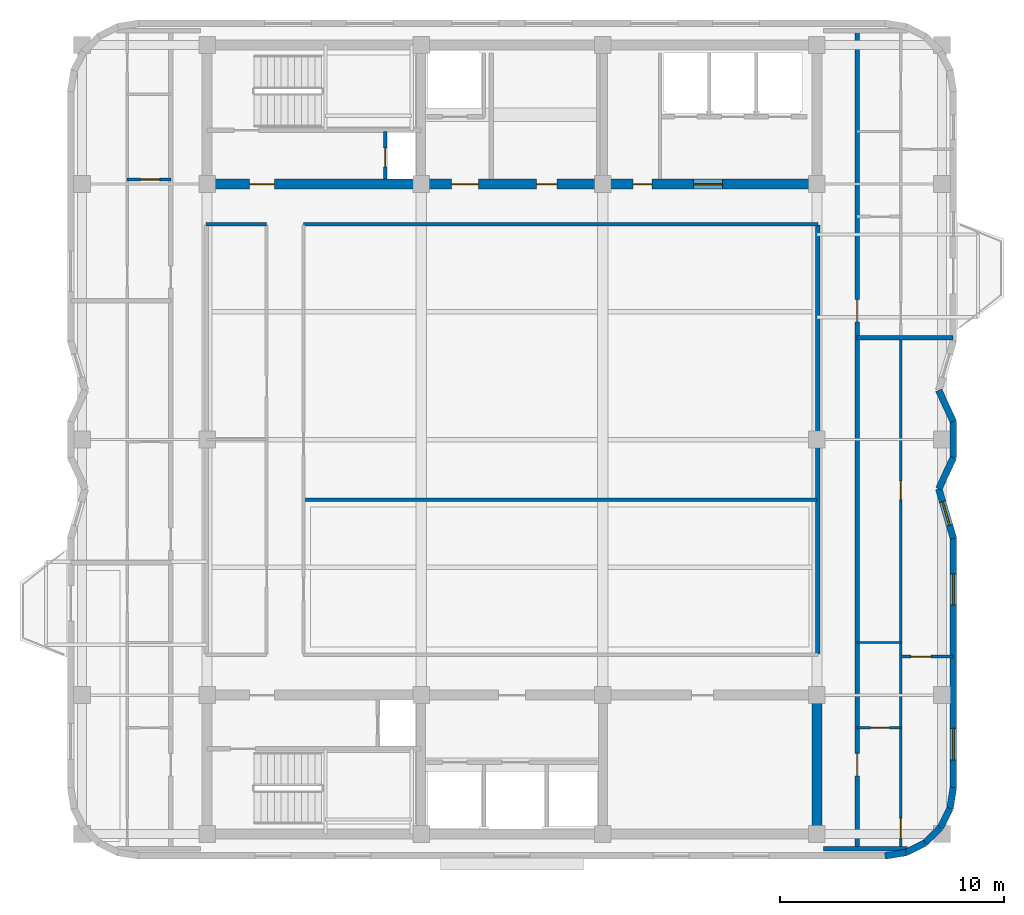
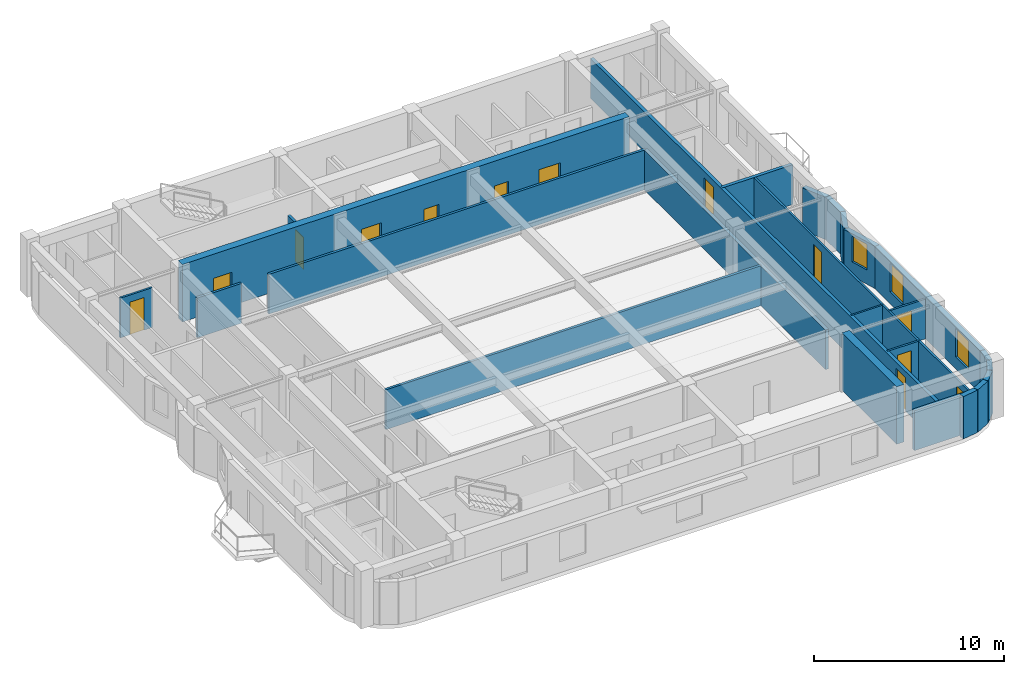
# One storey, part 4 of 8: 25 walls, 13 doors, 3 windows, 16 openings.
"""IFC4 building model written with IfcOpenShell, lengths in metres."""

from ifc_helpers import new_model, si_unit, direction, frame, frame_2d, origin, place, context, subcontext, project, spatial, rectangle, extrude, material, layer, layer_set, type_object, element, fill, save


model = new_model("IFC4")

# Units and contexts
model_context = context("Model", 3, precision=1e-05, world=origin(), true_north=direction((0.0, 1.0)))
body_context = subcontext(model_context, "Body", "Model", "MODEL_VIEW")
ifc_project = project(units=[si_unit("LENGTHUNIT", "METRE"), si_unit("AREAUNIT", "SQUARE_METRE"), si_unit("VOLUMEUNIT", "CUBIC_METRE"), si_unit("PLANEANGLEUNIT", "RADIAN"), si_unit("MASSUNIT", "GRAM", prefix="KILO")], contexts=[model_context])

# Site, building, storey
site_placement = place(None, origin())
site = spatial("IfcSite", under=ifc_project, at=site_placement, CompositionType="ELEMENT")
building_placement = place(site_placement, origin())
building = spatial("IfcBuilding", under=site, at=building_placement, Name="Svetorya Sky Lyceum", CompositionType="ELEMENT")
storey_placement = place(building_placement, frame((0.0, 0.0, 282.39990234375)))
storey = spatial("IfcBuildingStorey", under=building, at=storey_placement, Name="L71", CompositionType="ELEMENT", Elevation=282.39990234375)

# Wall
ifc_material_1 = material(Name="Concrete C50/60", Category="concrete")
ifc_layer_1 = layer(ifc_material_1, 0.449951171875)
ifc_layer_set_1 = layer_set([ifc_layer_1], Name="Concrete C50/60")
wall_type_1 = type_object("IfcWallType", Name="WL-CORE-450", PredefinedType="SHEAR", material=ifc_layer_set_1)
wall_1_placement = place(storey_placement, frame((52.800048828125, 10.824951171875, 0.0), z_axis=(0.0, 0.0, 1.0), x_axis=(0.0, 1.0, 0.0)))
element("IfcWall", 1, at=wall_1_placement, inside=storey, type_object=wall_type_1, Name="L71 SC East Core Shear Wall", PredefinedType="SHEAR", context=body_context, shape_type="SweptSolid", body=[
    extrude(rectangle(XDim=5.75, YDim=0.449951171875, at=frame_2d((2.875, 0.0))), origin(), (0.0, 0.0, 1.0), 3.7001953125),
])

# Wall, openings, doors
wall_2_placement = place(storey_placement, frame((52.800048828125, 39.60009765625, 0.0), z_axis=(0.0, 0.0, 1.0), x_axis=(-1.0, 0.0, 0.0)))
wall_2 = element("IfcWall", 2, at=wall_2_placement, inside=storey, type_object=wall_type_1, Name="L71 NC Inner Core Shear Wall", PredefinedType="SHEAR", context=body_context, shape_type="SweptSolid", body=[
    extrude(rectangle(XDim=27.199951171875, YDim=0.449951171875, at=frame_2d((13.60009765625, 0.0))), origin(), (0.0, 0.0, 1.0), 3.7001953125),
])
opening_1_placement = place(wall_2_placement, frame((24.199951171875, 0.0, 0.0)))
opening_1 = element("IfcOpeningElement", 3, at=opening_1_placement, cuts=wall_2, Name="Opening D-ST1", PredefinedType="OPENING", context=body_context, shape_type="SweptSolid", body=[
    extrude(rectangle(XDim=1.10009765625, YDim=2.14990234375, at=frame_2d((0.550048828125, 1.074951171875))), frame((0.0, 0.23486328125, 0.0), z_axis=(0.0, -1.0, 0.0), x_axis=(1.0, 0.0, 0.0)), (0.0, 0.0, 1.0), 0.469970703125),
])
opening_2_placement = place(wall_2_placement, frame((15.10009765625, 0.0, 0.0)))
opening_2 = element("IfcOpeningElement", 4, at=opening_2_placement, cuts=wall_2, Name="Opening D-FL1", PredefinedType="OPENING", context=body_context, shape_type="SweptSolid", body=[
    extrude(rectangle(XDim=1.199951171875, YDim=2.14990234375, at=frame_2d((0.60009765625, 1.074951171875))), frame((0.0, 0.23486328125, 0.0), z_axis=(0.0, -1.0, 0.0), x_axis=(1.0, 0.0, 0.0)), (0.0, 0.0, 1.0), 0.469970703125),
])
opening_3_placement = place(wall_2_placement, frame((11.60009765625, 0.0, 0.0)))
opening_3 = element("IfcOpeningElement", 5, at=opening_3_placement, cuts=wall_2, Name="Opening D-RM1", PredefinedType="OPENING", context=body_context, shape_type="SweptSolid", body=[
    extrude(rectangle(XDim=0.89990234375, YDim=2.10009765625, at=frame_2d((0.449951171875, 1.050048828125))), frame((0.0, 0.23486328125, 0.0), z_axis=(0.0, -1.0, 0.0), x_axis=(1.0, 0.0, 0.0)), (0.0, 0.0, 1.0), 0.469970703125),
])
opening_4_placement = place(wall_2_placement, frame((7.35009765625, 0.0, 0.0)))
opening_4 = element("IfcOpeningElement", 6, at=opening_4_placement, cuts=wall_2, Name="Opening D-CWC1", PredefinedType="OPENING", context=body_context, shape_type="SweptSolid", body=[
    extrude(rectangle(XDim=0.85009765625, YDim=2.10009765625, at=frame_2d((0.425048828125, 1.050048828125))), frame((0.0, 0.23486328125, 0.0), z_axis=(0.0, -1.0, 0.0), x_axis=(1.0, 0.0, 0.0)), (0.0, 0.0, 1.0), 0.469970703125),
])
opening_5_placement = place(wall_2_placement, frame((4.199951171875, 0.0, 0.0)))
opening_5 = element("IfcOpeningElement", 7, at=opening_5_placement, cuts=wall_2, Name="Opening D-LB1", PredefinedType="OPENING", context=body_context, shape_type="SweptSolid", body=[
    extrude(rectangle(XDim=1.300048828125, YDim=2.199951171875, at=frame_2d((0.64990234375, 1.10009765625))), frame((0.0, 0.23486328125, 0.0), z_axis=(0.0, -1.0, 0.0), x_axis=(1.0, 0.0, 0.0)), (0.0, 0.0, 1.0), 0.469970703125),
])
ifc_material_2 = material(Name="Fire-rated galvanized steel core service closet door", Category="steel")
door_type_1 = type_object("IfcDoorType", Name="DR-CWET-850", OperationType="SINGLE_SWING_LEFT", PredefinedType="DOOR", material=ifc_material_2)
door_1_placement = place(opening_4_placement, origin())
door_1 = element("IfcDoor", 8, at=door_1_placement, inside=storey, type_object=door_type_1, Name="L71 High-Zone Utility Room Door", OperationType="SINGLE_SWING_LEFT", OverallHeight=2.10009765625, OverallWidth=0.85009765625, PredefinedType="DOOR", context=body_context, shape_type="SweptSolid", body=[
    extrude(rectangle(XDim=0.85009765625, YDim=2.10009765625, at=frame_2d((0.425048828125, 1.050048828125))), frame((0.0, 0.02490234375, 0.0), z_axis=(0.0, -1.0, 0.0), x_axis=(1.0, 0.0, 0.0)), (0.0, 0.0, 1.0), 0.050048828125),
])
fill(opening_4, door_1)
ifc_material_3 = material(Name="Powder-coated insulated galvanized stair fire door")
door_type_2 = type_object("IfcDoorType", Name="DR-FIRE-1100", OperationType="SINGLE_SWING_LEFT", PredefinedType="DOOR", material=ifc_material_3)
door_2_placement = place(opening_1_placement, origin())
door_2 = element("IfcDoor", 9, at=door_2_placement, inside=storey, type_object=door_type_2, Name="L71 North Stair Airlock Door", OperationType="SINGLE_SWING_LEFT", OverallHeight=2.14990234375, OverallWidth=1.10009765625, PredefinedType="DOOR", context=body_context, shape_type="SweptSolid", body=[
    extrude(rectangle(XDim=1.10009765625, YDim=2.14990234375, at=frame_2d((0.550048828125, 1.074951171875))), frame((0.0, 0.02490234375, 0.0), z_axis=(0.0, -1.0, 0.0), x_axis=(1.0, 0.0, 0.0)), (0.0, 0.0, 1.0), 0.050048828125),
])
fill(opening_1, door_2)
ifc_material_4 = material(Name="Powder-coated insulated galvanized fire door")
door_type_3 = type_object("IfcDoorType", Name="DR-FIRE-1200", OperationType="SINGLE_SWING_LEFT", PredefinedType="DOOR", material=ifc_material_4)
door_3_placement = place(opening_2_placement, origin())
door_3 = element("IfcDoor", 10, at=door_3_placement, inside=storey, type_object=door_type_3, Name="L71 North Firefighting Lift Lobby Door", OperationType="SINGLE_SWING_RIGHT", OverallHeight=2.14990234375, OverallWidth=1.199951171875, PredefinedType="DOOR", context=body_context, shape_type="SweptSolid", body=[
    extrude(rectangle(XDim=1.199951171875, YDim=2.14990234375, at=frame_2d((0.60009765625, 1.074951171875))), frame((0.0, 0.02490234375, 0.0), z_axis=(0.0, -1.0, 0.0), x_axis=(1.0, 0.0, 0.0)), (0.0, 0.0, 1.0), 0.050048828125),
])
fill(opening_2, door_3)
ifc_material_5 = material(Name="Lacquered birch veneer internal door")
door_type_4 = type_object("IfcDoorType", Name="DR-INT-900", OperationType="SINGLE_SWING_LEFT", PredefinedType="DOOR", material=ifc_material_5)
door_4_placement = place(opening_3_placement, origin())
door_4 = element("IfcDoor", 11, at=door_4_placement, inside=storey, type_object=door_type_4, Name="L71 Upper Archive Door", OperationType="SINGLE_SWING_LEFT", OverallHeight=2.10009765625, OverallWidth=0.89990234375, PredefinedType="DOOR", context=body_context, shape_type="SweptSolid", body=[
    extrude(rectangle(XDim=0.89990234375, YDim=2.10009765625, at=frame_2d((0.449951171875, 1.050048828125))), frame((0.0, 0.02490234375, 0.0), z_axis=(0.0, -1.0, 0.0), x_axis=(1.0, 0.0, 0.0)), (0.0, 0.0, 1.0), 0.050048828125),
])
fill(opening_3, door_4)
ifc_material_6 = material(Name="Glazed fire-rated aluminium lobby door", Category="aluminium")
door_type_5 = type_object("IfcDoorType", Name="DR-LOB-1300", OperationType="SINGLE_SWING_LEFT", PredefinedType="DOOR", material=ifc_material_6)
door_5_placement = place(opening_5_placement, origin())
door_5 = element("IfcDoor", 12, at=door_5_placement, inside=storey, type_object=door_type_5, Name="L71 North Passenger Lift Lobby Door", OperationType="SINGLE_SWING_LEFT", OverallHeight=2.199951171875, OverallWidth=1.300048828125, PredefinedType="DOOR", context=body_context, shape_type="SweptSolid", body=[
    extrude(rectangle(XDim=1.300048828125, YDim=2.199951171875, at=frame_2d((0.64990234375, 1.10009765625))), frame((0.0, 0.02490234375, 0.0), z_axis=(0.0, -1.0, 0.0), x_axis=(1.0, 0.0, 0.0)), (0.0, 0.0, 1.0), 0.050048828125),
])
fill(opening_5, door_5)

# Walls
ifc_material_7 = material(Name="Putilovo limestone rainscreen on autoclaved cellular masonry", Category="masonry")
ifc_layer_2 = layer(ifc_material_7, 0.300048828125)
ifc_layer_set_2 = layer_set([ifc_layer_2], Name="Putilovo limestone rainscreen on autoclaved cellular masonry")
wall_type_2 = type_object("IfcWallType", Name="WL-EXT-300", PredefinedType="SOLIDWALL", material=ifc_layer_set_2)
wall_3_placement = place(storey_placement, frame((55.840087890625, 9.6298828125, 0.0), z_axis=(0.0, 0.0, 1.0), x_axis=(0.987663181641, 0.156593229835, 0.0)))
element("IfcWall", 13, at=wall_3_placement, inside=storey, type_object=wall_type_2, Name="L71 Limestone Exterior Wall 7M", PredefinedType="SOLIDWALL", context=body_context, shape_type="SweptSolid", body=[
    extrude(rectangle(XDim=0.9541015625, YDim=0.300048828125, at=frame_2d((0.47705078125, 0.0))), origin(), (0.0, 0.0, 1.0), 2.72998046875),
])
for number, where, z_axis, x_axis, name in (
    (14, (56.782470703125, 9.779296875, 0.0), (0.0, 0.0, 1.0), (0.891076589373, 0.453852962833, 0.0), "L71 Limestone Exterior Wall 8M"),
    (15, (57.6328125, 10.21240234375, 0.0), (0.0, 0.0, 1.0), (0.707106781187, 0.707106781187, 0.0), "L71 Limestone Exterior Wall 9M"),
    (16, (58.3076171875, 10.88720703125, 0.0), (0.0, 0.0, 1.0), (0.453852962833, 0.891076589373, 0.0), "L71 Limestone Exterior Wall 10M"),
):
    element("IfcWall", number, at=place(storey_placement, frame(where, z_axis=z_axis, x_axis=x_axis)), inside=storey, type_object=wall_type_2, Name=name, PredefinedType="SOLIDWALL", context=body_context, shape_type="SweptSolid", body=[
        extrude(rectangle(XDim=0.954345703125, YDim=0.300048828125, at=frame_2d((0.47705078125, 0.0))), origin(), (0.0, 0.0, 1.0), 2.72998046875),
    ])
wall_4_placement = place(storey_placement, frame((58.74072265625, 11.737548828125, 0.0), z_axis=(0.0, 0.0, 1.0), x_axis=(0.156343617883, 0.987702725088, 0.0)))
element("IfcWall", 17, at=wall_4_placement, inside=storey, type_object=wall_type_2, Name="L71 Limestone Exterior Wall 11M", PredefinedType="SOLIDWALL", context=body_context, shape_type="SweptSolid", body=[
    extrude(rectangle(XDim=0.9541015625, YDim=0.300048828125, at=frame_2d((0.47705078125, 0.0))), origin(), (0.0, 0.0, 1.0), 2.72998046875),
])

# Wall, openings, windows
wall_5_placement = place(storey_placement, frame((58.889892578125, 12.679931640625, 0.0), z_axis=(0.0, 0.0, 1.0), x_axis=(0.0, 1.0, 0.0)))
wall_5 = element("IfcWall", 18, at=wall_5_placement, inside=storey, type_object=wall_type_2, Name="L71 Limestone Exterior Wall 12M", PredefinedType="SOLIDWALL", context=body_context, shape_type="SweptSolid", body=[
    extrude(rectangle(XDim=11.1201171875, YDim=0.300048828125, at=frame_2d((5.56005859375, 0.0))), origin(), (0.0, 0.0, 1.0), 2.72998046875),
])
opening_6_placement = place(wall_5_placement, frame((1.23681640625, 0.0, 0.760009765625)))
opening_6 = element("IfcOpeningElement", 19, at=opening_6_placement, cuts=wall_5, Name="Opening W-R2", PredefinedType="OPENING", context=body_context, shape_type="SweptSolid", body=[
    extrude(rectangle(XDim=1.39990234375, YDim=1.85009765625, at=frame_2d((0.699951171875, 0.925048828125))), frame((0.0, 0.159912109375, 0.0), z_axis=(0.0, -1.0, 0.0), x_axis=(1.0, 0.0, 0.0)), (0.0, 0.0, 1.0), 0.320068359375),
])
opening_7_placement = place(wall_5_placement, frame((8.13330078125, 0.0, 0.760009765625)))
opening_7 = element("IfcOpeningElement", 20, at=opening_7_placement, cuts=wall_5, Name="Opening W-R2", PredefinedType="OPENING", context=body_context, shape_type="SweptSolid", body=[
    extrude(rectangle(XDim=1.39990234375, YDim=1.85009765625, at=frame_2d((0.699951171875, 0.925048828125))), frame((0.0, 0.159912109375, 0.0), z_axis=(0.0, -1.0, 0.0), x_axis=(1.0, 0.0, 0.0)), (0.0, 0.0, 1.0), 0.320068359375),
])
ifc_material_8 = material(Name="Thermally broken aluminium frame with triple low-E glazing", Category="aluminium")
window_type_1 = type_object("IfcWindowType", Name="WN-RES-140", PartitioningType="SINGLE_PANEL", PredefinedType="WINDOW", material=ifc_material_8)
window_1_placement = place(opening_6_placement, origin())
window_1 = element("IfcWindow", 21, at=window_1_placement, inside=storey, type_object=window_type_1, Name="L71 Facade Window W-R2.12M.1", OverallHeight=1.85009765625, OverallWidth=1.39990234375, PartitioningType="SINGLE_PANEL", PredefinedType="WINDOW", context=body_context, shape_type="SweptSolid", body=[
    extrude(rectangle(XDim=1.39990234375, YDim=1.85009765625, at=frame_2d((0.699951171875, 0.925048828125))), frame((0.0, 0.030029296875, 0.0), z_axis=(0.0, -1.0, 0.0), x_axis=(1.0, 0.0, 0.0)), (0.0, 0.0, 1.0), 0.06005859375),
])
fill(opening_6, window_1)
window_2_placement = place(opening_7_placement, origin())
window_2 = element("IfcWindow", 22, at=window_2_placement, inside=storey, type_object=window_type_1, Name="L71 Facade Window W-R2.12M.2", OverallHeight=1.85009765625, OverallWidth=1.39990234375, PartitioningType="SINGLE_PANEL", PredefinedType="WINDOW", context=body_context, shape_type="SweptSolid", body=[
    extrude(rectangle(XDim=1.39990234375, YDim=1.85009765625, at=frame_2d((0.699951171875, 0.925048828125))), frame((0.0, 0.030029296875, 0.0), z_axis=(0.0, -1.0, 0.0), x_axis=(1.0, 0.0, 0.0)), (0.0, 0.0, 1.0), 0.06005859375),
])
fill(opening_7, window_2)

# Wall, opening, window
wall_6_placement = place(storey_placement, frame((58.889892578125, 23.800048828125, 0.0), z_axis=(0.0, 0.0, 1.0), x_axis=(-0.283312771328, 0.959027566654, 0.0)))
wall_6 = element("IfcWall", 23, at=wall_6_placement, inside=storey, type_object=wall_type_2, Name="L71 Limestone Exterior Wall 13M", PredefinedType="SOLIDWALL", context=body_context, shape_type="SweptSolid", body=[
    extrude(rectangle(XDim=2.2939453125, YDim=0.300048828125, at=frame_2d((1.14697265625, 0.0))), origin(), (0.0, 0.0, 1.0), 2.72998046875),
])
opening_8_placement = place(wall_6_placement, frame((0.596923828125, 0.0, 0.919921875)))
opening_8 = element("IfcOpeningElement", 24, at=opening_8_placement, cuts=wall_6, Name="Opening W-R3", PredefinedType="OPENING", context=body_context, shape_type="SweptSolid", body=[
    extrude(rectangle(XDim=1.10009765625, YDim=1.64990234375, at=frame_2d((0.550048828125, 0.824951171875))), frame((0.0, 0.159912109375, 0.0), z_axis=(0.0, -1.0, 0.0), x_axis=(1.0, 0.0, 0.0)), (0.0, 0.0, 1.0), 0.320068359375),
])
window_type_2 = type_object("IfcWindowType", Name="WN-RES-110", PartitioningType="SINGLE_PANEL", PredefinedType="WINDOW", material=ifc_material_8)
window_3_placement = place(opening_8_placement, origin())
window_3 = element("IfcWindow", 25, at=window_3_placement, inside=storey, type_object=window_type_2, Name="L71 Facade Window W-R3.13M.1", OverallHeight=1.64990234375, OverallWidth=1.10009765625, PartitioningType="SINGLE_PANEL", PredefinedType="WINDOW", context=body_context, shape_type="SweptSolid", body=[
    extrude(rectangle(XDim=1.10009765625, YDim=1.64990234375, at=frame_2d((0.550048828125, 0.824951171875))), frame((0.0, 0.030029296875, 0.0), z_axis=(0.0, -1.0, 0.0), x_axis=(1.0, 0.0, 0.0)), (0.0, 0.0, 1.0), 0.06005859375),
])
fill(opening_8, window_3)

# Walls
wall_7_placement = place(storey_placement, frame((58.239990234375, 26.0, 0.0), z_axis=(0.0, 0.0, 1.0), x_axis=(0.421083420882, 0.907021914101, 0.0)))
element("IfcWall", 26, at=wall_7_placement, inside=storey, type_object=wall_type_2, Name="L71 Limestone Exterior Wall 14M", PredefinedType="SOLIDWALL", context=body_context, shape_type="SweptSolid", body=[
    extrude(rectangle(XDim=1.54345703125, YDim=0.300048828125, at=frame_2d((0.771728515625, 0.0))), origin(), (0.0, 0.0, 1.0), 2.72998046875),
])
wall_8_placement = place(storey_placement, frame((58.889892578125, 27.39990234375, 0.0), z_axis=(0.0, 0.0, 1.0), x_axis=(0.0, 1.0, 0.0)))
element("IfcWall", 27, at=wall_8_placement, inside=storey, type_object=wall_type_2, Name="L71 Limestone Exterior Wall 15M", PredefinedType="SOLIDWALL", context=body_context, shape_type="SweptSolid", body=[
    extrude(rectangle(XDim=1.60009765625, YDim=0.300048828125, at=frame_2d((0.800048828125, 0.0))), origin(), (0.0, 0.0, 1.0), 2.72998046875),
])
wall_9_placement = place(storey_placement, frame((58.889892578125, 29.0, 0.0), z_axis=(0.0, 0.0, 1.0), x_axis=(-0.421083420882, 0.907021914101, 0.0)))
element("IfcWall", 28, at=wall_9_placement, inside=storey, type_object=wall_type_2, Name="L71 Limestone Exterior Wall 16M", PredefinedType="SOLIDWALL", context=body_context, shape_type="SweptSolid", body=[
    extrude(rectangle(XDim=1.54345703125, YDim=0.300048828125, at=frame_2d((0.771728515625, 0.0))), origin(), (0.0, 0.0, 1.0), 2.72998046875),
])
ifc_material_9 = material(Name="Galvanized stud partition with moisture-resistant board", Category="gypsum")
ifc_layer_3 = layer(ifc_material_9, 0.10009765625)
ifc_layer_set_3 = layer_set([ifc_layer_3], Name="Galvanized stud partition with moisture-resistant board")
wall_type_3 = type_object("IfcWallType", Name="WL-PART-100", PredefinedType="PARTITIONING", material=ifc_layer_set_3)
wall_10_placement = place(storey_placement, frame((54.60009765625, 19.14990234375, 0.0), z_axis=(0.0, 0.0, 1.0), x_axis=(1.0, 0.0, 0.0)))
element("IfcWall", 29, at=wall_10_placement, inside=storey, type_object=wall_type_3, Name="L71 Interior Partition E1-WH2", PredefinedType="PARTITIONING", context=body_context, shape_type="SweptSolid", body=[
    extrude(rectangle(XDim=1.949951171875, YDim=0.10009765625, at=frame_2d((0.97509765625, 0.0))), origin(), (0.0, 0.0, 1.0), 2.56005859375),
])

# Wall, opening, door
ifc_material_10 = material(Name="Twin-stud galvanized framing with double fireboard", Category="gypsum")
ifc_layer_4 = layer(ifc_material_10, 0.1201171875)
ifc_layer_set_4 = layer_set([ifc_layer_4], Name="Twin-stud galvanized framing with double fireboard")
wall_type_4 = type_object("IfcWallType", Name="WL-PART-120", PredefinedType="PARTITIONING", material=ifc_layer_set_4)
wall_11_placement = place(storey_placement, frame((22.030029296875, 39.804931640625, 0.0), z_axis=(0.0, 0.0, 1.0), x_axis=(1.0, 0.0, 0.0)))
wall_11 = element("IfcWall", 30, at=wall_11_placement, inside=storey, type_object=wall_type_4, Name="L71 Interior Partition W3-WH1", PredefinedType="PARTITIONING", context=body_context, shape_type="SweptSolid", body=[
    extrude(rectangle(XDim=1.949951171875, YDim=0.1201171875, at=frame_2d((0.97509765625, 0.0))), origin(), (0.0, 0.0, 1.0), 2.56005859375),
])
opening_9_placement = place(wall_11_placement, frame((0.60009765625, 0.0, 0.0)))
opening_9 = element("IfcOpeningElement", 31, at=opening_9_placement, cuts=wall_11, Name="Opening D-BT1", PredefinedType="OPENING", context=body_context, shape_type="SweptSolid", body=[
    extrude(rectangle(XDim=0.85009765625, YDim=2.10009765625, at=frame_2d((0.425048828125, 1.050048828125))), frame((0.0, 0.070068359375, 0.0), z_axis=(0.0, -1.0, 0.0), x_axis=(1.0, 0.0, 0.0)), (0.0, 0.0, 1.0), 0.14013671875),
])
ifc_material_11 = material(Name="Moisture-resistant laminate bathroom door")
door_type_6 = type_object("IfcDoorType", Name="DR-WET-850", OperationType="SINGLE_SWING_LEFT", PredefinedType="DOOR", material=ifc_material_11)
door_6_placement = place(opening_9_placement, origin())
door_6 = element("IfcDoor", 32, at=door_6_placement, inside=storey, type_object=door_type_6, Name="Apartment W3 Bathroom Door", OperationType="SINGLE_SWING_LEFT", OverallHeight=2.10009765625, OverallWidth=0.85009765625, PredefinedType="DOOR", context=body_context, shape_type="SweptSolid", body=[
    extrude(rectangle(XDim=0.85009765625, YDim=2.10009765625, at=frame_2d((0.425048828125, 1.050048828125))), frame((0.0, 0.02490234375, 0.0), z_axis=(0.0, -1.0, 0.0), x_axis=(1.0, 0.0, 0.0)), (0.0, 0.0, 1.0), 0.050048828125),
])
fill(opening_9, door_6)

wall_12_placement = place(storey_placement, frame((54.60009765625, 15.35009765625, 0.0), z_axis=(0.0, 0.0, 1.0), x_axis=(1.0, 0.0, 0.0)))
wall_12 = element("IfcWall", 33, at=wall_12_placement, inside=storey, type_object=wall_type_4, Name="L71 Interior Partition E1-WH1", PredefinedType="PARTITIONING", context=body_context, shape_type="SweptSolid", body=[
    extrude(rectangle(XDim=1.949951171875, YDim=0.1201171875, at=frame_2d((0.97509765625, 0.0))), origin(), (0.0, 0.0, 1.0), 2.56005859375),
])
opening_10_placement = place(wall_12_placement, frame((0.60009765625, 0.0, 0.0)))
opening_10 = element("IfcOpeningElement", 34, at=opening_10_placement, cuts=wall_12, Name="Opening D-BT1", PredefinedType="OPENING", context=body_context, shape_type="SweptSolid", body=[
    extrude(rectangle(XDim=0.85009765625, YDim=2.10009765625, at=frame_2d((0.425048828125, 1.050048828125))), frame((0.0, 0.070068359375, 0.0), z_axis=(0.0, -1.0, 0.0), x_axis=(1.0, 0.0, 0.0)), (0.0, 0.0, 1.0), 0.14013671875),
])
door_7_placement = place(opening_10_placement, origin())
door_7 = element("IfcDoor", 35, at=door_7_placement, inside=storey, type_object=door_type_6, Name="Apartment E1 Bathroom Door", OperationType="SINGLE_SWING_RIGHT", OverallHeight=2.10009765625, OverallWidth=0.85009765625, PredefinedType="DOOR", context=body_context, shape_type="SweptSolid", body=[
    extrude(rectangle(XDim=0.85009765625, YDim=2.10009765625, at=frame_2d((0.425048828125, 1.050048828125))), frame((0.0, 0.02490234375, 0.0), z_axis=(0.0, -1.0, 0.0), x_axis=(1.0, 0.0, 0.0)), (0.0, 0.0, 1.0), 0.050048828125),
])
fill(opening_10, door_7)

wall_13_placement = place(storey_placement, frame((56.550048828125, 18.52001953125, 0.0), z_axis=(0.0, 0.0, 1.0), x_axis=(1.0, 0.0, 0.0)))
wall_13 = element("IfcWall", 36, at=wall_13_placement, inside=storey, type_object=wall_type_4, Name="L71 Interior Partition E1-WL1", PredefinedType="PARTITIONING", context=body_context, shape_type="SweptSolid", body=[
    extrude(rectangle(XDim=2.320068359375, YDim=0.1201171875, at=frame_2d((1.16015625, 0.0))), origin(), (0.0, 0.0, 1.0), 2.56005859375),
])
opening_11_placement = place(wall_13_placement, frame((0.449951171875, 0.0, 0.0)))
opening_11 = element("IfcOpeningElement", 37, at=opening_11_placement, cuts=wall_13, Name="Opening D-RM1", PredefinedType="OPENING", context=body_context, shape_type="SweptSolid", body=[
    extrude(rectangle(XDim=0.89990234375, YDim=2.10009765625, at=frame_2d((0.449951171875, 1.050048828125))), frame((0.0, 0.070068359375, 0.0), z_axis=(0.0, -1.0, 0.0), x_axis=(1.0, 0.0, 0.0)), (0.0, 0.0, 1.0), 0.14013671875),
])
door_8_placement = place(opening_11_placement, origin())
door_8 = element("IfcDoor", 38, at=door_8_placement, inside=storey, type_object=door_type_4, Name="Apartment E1 Bedroom 1 Door", OperationType="SINGLE_SWING_RIGHT", OverallHeight=2.10009765625, OverallWidth=0.89990234375, PredefinedType="DOOR", context=body_context, shape_type="SweptSolid", body=[
    extrude(rectangle(XDim=0.89990234375, YDim=2.10009765625, at=frame_2d((0.449951171875, 1.050048828125))), frame((0.0, 0.02490234375, 0.0), z_axis=(0.0, -1.0, 0.0), x_axis=(1.0, 0.0, 0.0)), (0.0, 0.0, 1.0), 0.050048828125),
])
fill(opening_11, door_8)

# Wall, openings, doors
wall_14_placement = place(storey_placement, frame((56.550048828125, 9.989990234375, 0.0), z_axis=(0.0, 0.0, 1.0), x_axis=(0.0, 1.0, 0.0)))
wall_14 = element("IfcWall", 39, at=wall_14_placement, inside=storey, type_object=wall_type_4, Name="L71 Interior Partition E1-WV", PredefinedType="PARTITIONING", context=body_context, shape_type="SweptSolid", body=[
    extrude(rectangle(XDim=22.719970703125, YDim=0.1201171875, at=frame_2d((11.35986328125, 0.0))), origin(), (0.0, 0.0, 1.0), 2.56005859375),
])
opening_12_placement = place(wall_14_placement, frame((0.409912109375, 0.0, 0.0)))
opening_12 = element("IfcOpeningElement", 40, at=opening_12_placement, cuts=wall_14, Name="Opening D-RM1", PredefinedType="OPENING", context=body_context, shape_type="SweptSolid", body=[
    extrude(rectangle(XDim=0.89990234375, YDim=2.10009765625, at=frame_2d((0.449951171875, 1.050048828125))), frame((0.0, 0.070068359375, 0.0), z_axis=(0.0, -1.0, 0.0), x_axis=(1.0, 0.0, 0.0)), (0.0, 0.0, 1.0), 0.14013671875),
])
opening_13_placement = place(wall_14_placement, frame((15.534912109375, 0.0, 0.0)))
opening_13 = element("IfcOpeningElement", 41, at=opening_13_placement, cuts=wall_14, Name="Opening D-BT2", PredefinedType="OPENING", context=body_context, shape_type="SweptSolid", body=[
    extrude(rectangle(XDim=0.820068359375, YDim=2.080078125, at=frame_2d((0.41015625, 1.0400390625))), frame((0.0, 0.070068359375, 0.0), z_axis=(0.0, -1.0, 0.0), x_axis=(1.0, 0.0, 0.0)), (0.0, 0.0, 1.0), 0.14013671875),
])
door_9_placement = place(opening_12_placement, origin())
door_9 = element("IfcDoor", 42, at=door_9_placement, inside=storey, type_object=door_type_4, Name="Apartment E1 Living Door", OperationType="SINGLE_SWING_LEFT", OverallHeight=2.10009765625, OverallWidth=0.89990234375, PredefinedType="DOOR", context=body_context, shape_type="SweptSolid", body=[
    extrude(rectangle(XDim=0.89990234375, YDim=2.10009765625, at=frame_2d((0.449951171875, 1.050048828125))), frame((0.0, 0.02490234375, 0.0), z_axis=(0.0, -1.0, 0.0), x_axis=(1.0, 0.0, 0.0)), (0.0, 0.0, 1.0), 0.050048828125),
])
fill(opening_12, door_9)
ifc_material_12 = material(Name="Compact moisture-resistant laminate closet door")
door_type_7 = type_object("IfcDoorType", Name="DR-WET-820", OperationType="SINGLE_SWING_LEFT", PredefinedType="DOOR", material=ifc_material_12)
door_10_placement = place(opening_13_placement, origin())
door_10 = element("IfcDoor", 43, at=door_10_placement, inside=storey, type_object=door_type_7, Name="Apartment E1 Study Door", OperationType="SINGLE_SWING_RIGHT", OverallHeight=2.080078125, OverallWidth=0.820068359375, PredefinedType="DOOR", context=body_context, shape_type="SweptSolid", body=[
    extrude(rectangle(XDim=0.820068359375, YDim=2.080078125, at=frame_2d((0.41015625, 1.0400390625))), frame((0.0, 0.02490234375, 0.0), z_axis=(0.0, -1.0, 0.0), x_axis=(1.0, 0.0, 0.0)), (0.0, 0.0, 1.0), 0.050048828125),
])
fill(opening_13, door_10)

# Wall, opening, door
ifc_material_13 = material(Name="Autoclaved cellular masonry blockwork with acoustic render", Category="masonry")
ifc_layer_5 = layer(ifc_material_13, 0.14990234375)
ifc_layer_set_5 = layer_set([ifc_layer_5], Name="Autoclaved cellular masonry blockwork with acoustic render")
wall_type_5 = type_object("IfcWallType", Name="WL-PART-150", PredefinedType="PARTITIONING", material=ifc_layer_set_5)
wall_15_placement = place(storey_placement, frame((33.550048828125, 39.820068359375, 0.0), z_axis=(0.0, 0.0, 1.0), x_axis=(0.0, 1.0, 0.0)))
wall_15 = element("IfcWall", 44, at=wall_15_placement, inside=storey, type_object=wall_type_5, Name="L71 Interior Partition NC-RSRW", PredefinedType="PARTITIONING", context=body_context, shape_type="SweptSolid", body=[
    extrude(rectangle(XDim=2.1298828125, YDim=0.14990234375, at=frame_2d((1.06494140625, 0.0))), origin(), (0.0, 0.0, 1.0), 2.56005859375),
])
opening_14_placement = place(wall_15_placement, frame((0.550048828125, 0.0, 0.0)))
opening_14 = element("IfcOpeningElement", 45, at=opening_14_placement, cuts=wall_15, Name="Opening D-SH1", PredefinedType="OPENING", context=body_context, shape_type="SweptSolid", body=[
    extrude(rectangle(XDim=0.85009765625, YDim=2.050048828125, at=frame_2d((0.425048828125, 1.02490234375))), frame((0.0, 0.0849609375, 0.0), z_axis=(0.0, -1.0, 0.0), x_axis=(1.0, 0.0, 0.0)), (0.0, 0.0, 1.0), 0.169921875),
])
ifc_material_14 = material(Name="Insulated galvanized riser inspection fire door")
door_type_8 = type_object("IfcDoorType", Name="DR-SHFT-850", OperationType="SINGLE_SWING_LEFT", PredefinedType="TRAPDOOR", material=ifc_material_14)
door_11_placement = place(opening_14_placement, origin())
door_11 = element("IfcDoor", 46, at=door_11_placement, inside=storey, type_object=door_type_8, Name="L71 North Riser Access Door", OperationType="SINGLE_SWING_LEFT", OverallHeight=2.050048828125, OverallWidth=0.85009765625, PredefinedType="TRAPDOOR", context=body_context, shape_type="SweptSolid", body=[
    extrude(rectangle(XDim=0.85009765625, YDim=2.050048828125, at=frame_2d((0.425048828125, 1.02490234375))), frame((0.0, 0.02490234375, 0.0), z_axis=(0.0, -1.0, 0.0), x_axis=(1.0, 0.0, 0.0)), (0.0, 0.0, 1.0), 0.050048828125),
])
fill(opening_14, door_11)

# Walls
wall_16_placement = place(storey_placement, frame((25.550048828125, 37.800048828125, 0.0), z_axis=(0.0, 0.0, 1.0), x_axis=(1.0, 0.0, 0.0)))
element("IfcWall", 47, at=wall_16_placement, inside=storey, type_object=wall_type_5, Name="L71 Interior Partition OFF-CN-W", PredefinedType="PARTITIONING", context=body_context, shape_type="SweptSolid", body=[
    extrude(rectangle(XDim=2.699951171875, YDim=0.14990234375, at=frame_2d((1.35009765625, 0.0))), origin(), (0.0, 0.0, 1.0), 2.56005859375),
])
wall_17_placement = place(storey_placement, frame((29.89990234375, 37.800048828125, 0.0), z_axis=(0.0, 0.0, 1.0), x_axis=(1.0, 0.0, 0.0)))
element("IfcWall", 48, at=wall_17_placement, inside=storey, type_object=wall_type_5, Name="L71 Interior Partition OFF-CN-E", PredefinedType="PARTITIONING", context=body_context, shape_type="SweptSolid", body=[
    extrude(rectangle(XDim=22.9501953125, YDim=0.14990234375, at=frame_2d((11.47509765625, 0.0))), origin(), (0.0, 0.0, 1.0), 2.56005859375),
])
wall_18_placement = place(storey_placement, frame((29.929931640625, 25.5205078125, 0.0), z_axis=(0.0, 0.0, 1.0), x_axis=(1.0, 0.0, 0.0)))
element("IfcWall", 49, at=wall_18_placement, inside=storey, type_object=wall_type_5, Name="L71 Interior Partition OFF-HE", PredefinedType="PARTITIONING", context=body_context, shape_type="SweptSolid", body=[
    extrude(rectangle(XDim=22.8701171875, YDim=0.14990234375, at=frame_2d((11.43505859375, 0.0))), origin(), (0.0, 0.0, 1.0), 2.56005859375),
])
ifc_material_15 = material(Name="Autoclaved cellular masonry blockwork with gypsum plaster", Category="masonry")
ifc_layer_6 = layer(ifc_material_15, 0.199951171875)
ifc_layer_set_6 = layer_set([ifc_layer_6], Name="Autoclaved cellular masonry blockwork with gypsum plaster")
wall_type_6 = type_object("IfcWallType", Name="WL-PART-200", PredefinedType="PARTITIONING", material=ifc_layer_set_6)
wall_19_placement = place(storey_placement, frame((52.85009765625, 18.6298828125, 0.0), z_axis=(0.0, 0.0, 1.0), x_axis=(0.0, 1.0, 0.0)))
element("IfcWall", 50, at=wall_19_placement, inside=storey, type_object=wall_type_6, Name="L71 Interior Partition E-CEN-SEP", PredefinedType="PARTITIONING", context=body_context, shape_type="SweptSolid", body=[
    extrude(rectangle(XDim=19.14013671875, YDim=0.199951171875, at=frame_2d((9.570068359375, 0.0))), origin(), (0.0, 0.0, 1.0), 2.56005859375),
])
wall_20_placement = place(storey_placement, frame((54.60009765625, 32.75, 0.0), z_axis=(0.0, 0.0, 1.0), x_axis=(1.0, 0.0, 0.0)))
element("IfcWall", 51, at=wall_20_placement, inside=storey, type_object=wall_type_6, Name="L71 Interior Partition E-PARTY-1", PredefinedType="PARTITIONING", context=body_context, shape_type="SweptSolid", body=[
    extrude(rectangle(XDim=4.27001953125, YDim=0.199951171875, at=frame_2d((2.135009765625, 0.0))), origin(), (0.0, 0.0, 1.0), 2.56005859375),
])

# Wall, openings, doors
wall_21_placement = place(storey_placement, frame((54.60009765625, 9.949951171875, 0.0), z_axis=(0.0, 0.0, 1.0), x_axis=(0.0, 1.0, 0.0)))
wall_21 = element("IfcWall", 52, at=wall_21_placement, inside=storey, type_object=wall_type_6, Name="L71 Interior Partition E-CORRW", PredefinedType="PARTITIONING", context=body_context, shape_type="SweptSolid", body=[
    extrude(rectangle(XDim=36.5, YDim=0.199951171875, at=frame_2d((18.25, 0.0))), origin(), (0.0, 0.0, 1.0), 2.56005859375),
])
opening_15_placement = place(wall_21_placement, frame((3.25, 0.0, 0.0)))
opening_15 = element("IfcOpeningElement", 53, at=opening_15_placement, cuts=wall_21, Name="Opening D-APT1", PredefinedType="OPENING", context=body_context, shape_type="SweptSolid", body=[
    extrude(rectangle(XDim=1.0, YDim=2.14990234375, at=frame_2d((0.5, 1.074951171875))), frame((0.0, 0.10986328125, 0.0), z_axis=(0.0, -1.0, 0.0), x_axis=(1.0, 0.0, 0.0)), (0.0, 0.0, 1.0), 0.219970703125),
])
opening_16_placement = place(wall_21_placement, frame((23.5, 0.0, 0.0)))
opening_16 = element("IfcOpeningElement", 54, at=opening_16_placement, cuts=wall_21, Name="Opening D-APT1", PredefinedType="OPENING", context=body_context, shape_type="SweptSolid", body=[
    extrude(rectangle(XDim=1.0, YDim=2.14990234375, at=frame_2d((0.5, 1.074951171875))), frame((0.0, 0.10986328125, 0.0), z_axis=(0.0, -1.0, 0.0), x_axis=(1.0, 0.0, 0.0)), (0.0, 0.0, 1.0), 0.219970703125),
])
ifc_material_16 = material(Name="Insulated oak-veneered apartment entrance door")
door_type_9 = type_object("IfcDoorType", Name="DR-APT-1000", OperationType="SINGLE_SWING_LEFT", PredefinedType="DOOR", material=ifc_material_16)
door_12_placement = place(opening_15_placement, origin())
door_12 = element("IfcDoor", 55, at=door_12_placement, inside=storey, type_object=door_type_9, Name="L71 Apartment E1 Entrance Door", OperationType="SINGLE_SWING_RIGHT", OverallHeight=2.14990234375, OverallWidth=1.0, PredefinedType="DOOR", context=body_context, shape_type="SweptSolid", body=[
    extrude(rectangle(XDim=1.0, YDim=2.14990234375, at=frame_2d((0.5, 1.074951171875))), frame((0.0, 0.02490234375, 0.0), z_axis=(0.0, -1.0, 0.0), x_axis=(1.0, 0.0, 0.0)), (0.0, 0.0, 1.0), 0.050048828125),
])
fill(opening_15, door_12)
door_13_placement = place(opening_16_placement, origin())
door_13 = element("IfcDoor", 56, at=door_13_placement, inside=storey, type_object=door_type_9, Name="L71 Apartment E2 Entrance Door", OperationType="SINGLE_SWING_LEFT", OverallHeight=2.14990234375, OverallWidth=1.0, PredefinedType="DOOR", context=body_context, shape_type="SweptSolid", body=[
    extrude(rectangle(XDim=1.0, YDim=2.14990234375, at=frame_2d((0.5, 1.074951171875))), frame((0.0, 0.02490234375, 0.0), z_axis=(0.0, -1.0, 0.0), x_axis=(1.0, 0.0, 0.0)), (0.0, 0.0, 1.0), 0.050048828125),
])
fill(opening_16, door_13)

# Wall
wall_22_placement = place(storey_placement, frame((53.10009765625, 9.949951171875, 0.0), z_axis=(0.0, 0.0, 1.0), x_axis=(1.0, 0.0, 0.0)))
element("IfcWall", 57, at=wall_22_placement, inside=storey, type_object=wall_type_6, Name="L71 Interior Partition E-CAP-S", PredefinedType="PARTITIONING", context=body_context, shape_type="SweptSolid", body=[
    extrude(rectangle(XDim=3.75390625, YDim=0.199951171875, at=frame_2d((1.876953125, 0.0))), origin(), (0.0, 0.0, 1.0), 2.56005859375),
])

save(model, "model.ifc")
